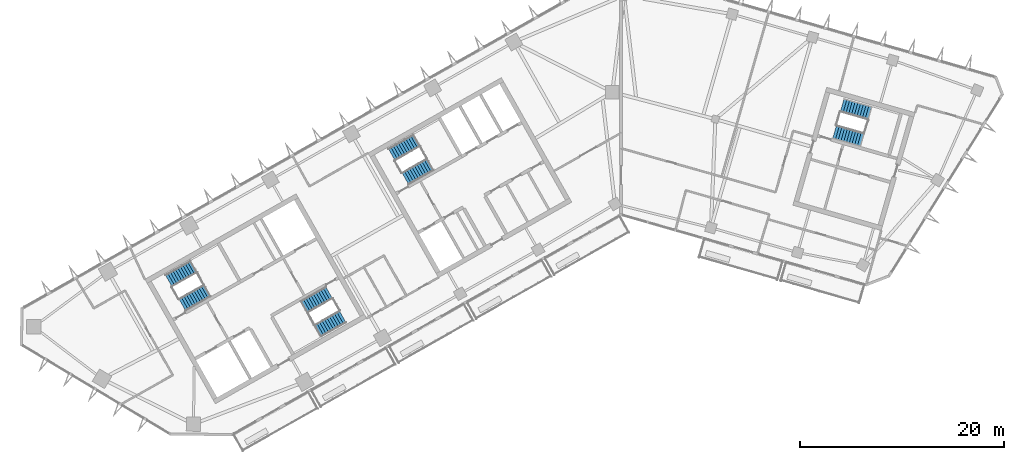
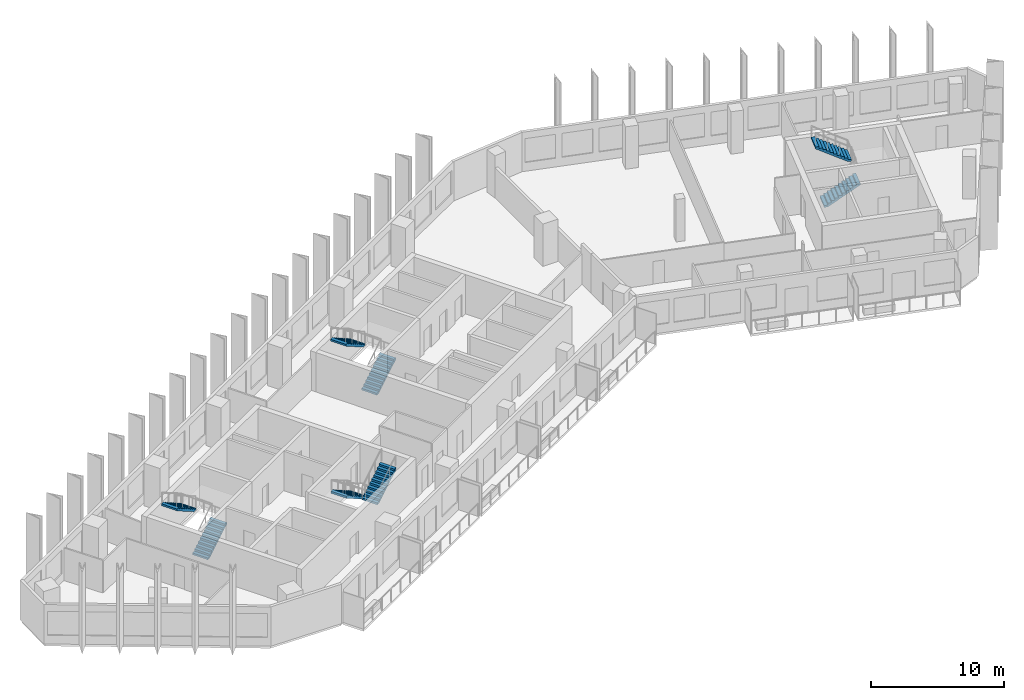
# One storey, part 9 of 12: 8 stair flights, 4 elements without a shape of their own.
"""IFC4 building model written with IfcOpenShell, lengths in metres."""

from ifc_helpers import new_model, si_unit, direction, frame, origin, place, context, subcontext, project, spatial, polyline, outline, extrude, material, type_object, element, aggregate, save


model = new_model("IFC4")

# Units and contexts
model_context = context("Model", 3, precision=1e-05, world=origin(), true_north=direction((0.0, 1.0)))
body_context = subcontext(model_context, "Body", "Model", "MODEL_VIEW")
ifc_project = project(units=[si_unit("LENGTHUNIT", "METRE"), si_unit("AREAUNIT", "SQUARE_METRE"), si_unit("VOLUMEUNIT", "CUBIC_METRE"), si_unit("PLANEANGLEUNIT", "RADIAN"), si_unit("MASSUNIT", "GRAM", prefix="KILO")], contexts=[model_context])

# Site, building, storey
site_placement = place(None, origin())
site = spatial("IfcSite", under=ifc_project, at=site_placement, CompositionType="ELEMENT")
building_placement = place(site_placement, origin())
building = spatial("IfcBuilding", under=site, at=building_placement, Name="Binnacle Exchange Tower", CompositionType="ELEMENT")
storey_placement = place(building_placement, frame((0.0, 0.0, 246.5)))
storey = spatial("IfcBuildingStorey", under=building, at=storey_placement, Name="L54", CompositionType="ELEMENT", Elevation=246.5)

# Stair, stair flights
ifc_material = material(Name="Concrete C35/45", Category="concrete")
stair_type = type_object("IfcStairType", Name="STAIR 22 RISERS 177", PredefinedType="HALF_TURN_STAIR", material=ifc_material)
stair_1_placement = place(storey_placement, origin())
stair_1 = element("IfcStair", 1, at=stair_1_placement, inside=storey, type_object=stair_type, Name="L54 Escape stair A1", PredefinedType="HALF_TURN_STAIR")
stair_flight_type = type_object("IfcStairFlightType", Name="STAIR FLIGHT 177X280", PredefinedType="STRAIGHT", material=ifc_material)
stair_flight_1_placement = place(storey_placement, frame((-42.9541015625, 39.17333984375, 0.0), z_axis=(0.0, 0.0, 1.0), x_axis=(0.870355584213, 0.492423757581, 0.0)))
stair_flight_1 = element("IfcStairFlight", 2, at=stair_flight_1_placement, type_object=stair_flight_type, Name="STA1 flight 1", NumberOfRisers=11, NumberOfTreads=10, PredefinedType="STRAIGHT", RiserHeight=0.177272727, TreadLength=0.28, context=body_context, shape_type="SweptSolid", body=[
    extrude(outline(polyline([(0.0, 0.0), (0.0, 0.17724609375), (0.280029296875, 0.17724609375), (0.280029296875, 0.3544921875), (0.56005859375, 0.3544921875), (0.56005859375, 0.53173828125), (0.840087890625, 0.53173828125), (0.840087890625, 0.708984375), (1.1201171875, 0.708984375), (1.1201171875, 0.886474609375), (1.39990234375, 0.886474609375), (1.39990234375, 1.063720703125), (1.679931640625, 1.063720703125), (1.679931640625, 1.240966796875), (1.9599609375, 1.240966796875), (1.9599609375, 1.418212890625), (2.239990234375, 1.418212890625), (2.239990234375, 1.595458984375), (2.52001953125, 1.595458984375), (2.52001953125, 1.772705078125), (2.800048828125, 1.772705078125), (2.800048828125, 1.949951171875), (2.800048828125, 1.59521484375), (0.2802734375, 0.0), (0.0, 0.0)])), frame((0.0, 0.675048828125, 0.0), z_axis=(0.0, -1.0, 0.0), x_axis=(1.0, 0.0, 0.0)), (0.0, 0.0, 1.0), 1.35009765625),
])
stair_flight_2_placement = place(storey_placement, frame((-41.846435546875, 42.902099609375, 1.949951171875), z_axis=(0.0, 0.0, 1.0), x_axis=(-0.870355584213, -0.492423757581, 0.0)))
stair_flight_2 = element("IfcStairFlight", 3, at=stair_flight_2_placement, type_object=stair_flight_type, Name="STA1 flight 2", NumberOfRisers=11, NumberOfTreads=10, PredefinedType="STRAIGHT", RiserHeight=0.177272727, TreadLength=0.28, context=body_context, shape_type="SweptSolid", body=[
    extrude(outline(polyline([(0.0, 0.0), (0.0, 0.17724609375), (0.280029296875, 0.17724609375), (0.280029296875, 0.3544921875), (0.56005859375, 0.3544921875), (0.56005859375, 0.53173828125), (0.840087890625, 0.53173828125), (0.840087890625, 0.708984375), (1.1201171875, 0.708984375), (1.1201171875, 0.886474609375), (1.39990234375, 0.886474609375), (1.39990234375, 1.063720703125), (1.679931640625, 1.063720703125), (1.679931640625, 1.240966796875), (1.9599609375, 1.240966796875), (1.9599609375, 1.418212890625), (2.239990234375, 1.418212890625), (2.239990234375, 1.595458984375), (2.52001953125, 1.595458984375), (2.52001953125, 1.772705078125), (2.800048828125, 1.772705078125), (2.800048828125, 1.949951171875), (2.800048828125, 1.59521484375), (0.2802734375, 0.0), (0.0, 0.0)])), frame((0.0, 0.675048828125, 0.0), z_axis=(0.0, -1.0, 0.0), x_axis=(1.0, 0.0, 0.0)), (0.0, 0.0, 1.0), 1.35009765625),
])
aggregate(stair_1, [stair_flight_1, stair_flight_2])

stair_2_placement = place(storey_placement, origin())
stair_2 = element("IfcStair", 4, at=stair_2_placement, inside=storey, type_object=stair_type, Name="L54 Escape stair A2", PredefinedType="HALF_TURN_STAIR")
stair_flight_3_placement = place(storey_placement, frame((-28.5732421875, 40.3583984375, 0.0), z_axis=(0.0, 0.0, 1.0), x_axis=(-0.870355584213, -0.492423757581, 0.0)))
stair_flight_3 = element("IfcStairFlight", 5, at=stair_flight_3_placement, type_object=stair_flight_type, Name="STA2 flight 1", NumberOfRisers=11, NumberOfTreads=10, PredefinedType="STRAIGHT", RiserHeight=0.177272727, TreadLength=0.28, context=body_context, shape_type="SweptSolid", body=[
    extrude(outline(polyline([(0.0, 0.0), (0.0, 0.17724609375), (0.280029296875, 0.17724609375), (0.280029296875, 0.3544921875), (0.56005859375, 0.3544921875), (0.56005859375, 0.53173828125), (0.840087890625, 0.53173828125), (0.840087890625, 0.708984375), (1.1201171875, 0.708984375), (1.1201171875, 0.886474609375), (1.39990234375, 0.886474609375), (1.39990234375, 1.063720703125), (1.679931640625, 1.063720703125), (1.679931640625, 1.240966796875), (1.9599609375, 1.240966796875), (1.9599609375, 1.418212890625), (2.239990234375, 1.418212890625), (2.239990234375, 1.595458984375), (2.52001953125, 1.595458984375), (2.52001953125, 1.772705078125), (2.800048828125, 1.772705078125), (2.800048828125, 1.949951171875), (2.800048828125, 1.59521484375), (0.2802734375, 0.0), (0.0, 0.0)])), frame((0.0, 0.675048828125, 0.0), z_axis=(0.0, -1.0, 0.0), x_axis=(1.0, 0.0, 0.0)), (0.0, 0.0, 1.0), 1.35009765625),
])
stair_flight_4_placement = place(storey_placement, frame((-29.6806640625, 36.629638671875, 1.949951171875), z_axis=(0.0, 0.0, 1.0), x_axis=(0.870355584213, 0.492423757581, 0.0)))
stair_flight_4 = element("IfcStairFlight", 6, at=stair_flight_4_placement, type_object=stair_flight_type, Name="STA2 flight 2", NumberOfRisers=11, NumberOfTreads=10, PredefinedType="STRAIGHT", RiserHeight=0.177272727, TreadLength=0.28, context=body_context, shape_type="SweptSolid", body=[
    extrude(outline(polyline([(0.0, 0.0), (0.0, 0.17724609375), (0.280029296875, 0.17724609375), (0.280029296875, 0.3544921875), (0.56005859375, 0.3544921875), (0.56005859375, 0.53173828125), (0.840087890625, 0.53173828125), (0.840087890625, 0.708984375), (1.1201171875, 0.708984375), (1.1201171875, 0.886474609375), (1.39990234375, 0.886474609375), (1.39990234375, 1.063720703125), (1.679931640625, 1.063720703125), (1.679931640625, 1.240966796875), (1.9599609375, 1.240966796875), (1.9599609375, 1.418212890625), (2.239990234375, 1.418212890625), (2.239990234375, 1.595458984375), (2.52001953125, 1.595458984375), (2.52001953125, 1.772705078125), (2.800048828125, 1.772705078125), (2.800048828125, 1.949951171875), (2.800048828125, 1.59521484375), (0.2802734375, 0.0), (0.0, 0.0)])), frame((0.0, 0.675048828125, 0.0), z_axis=(0.0, -1.0, 0.0), x_axis=(1.0, 0.0, 0.0)), (0.0, 0.0, 1.0), 1.35009765625),
])
aggregate(stair_2, [stair_flight_3, stair_flight_4])

stair_3_placement = place(storey_placement, origin())
stair_3 = element("IfcStair", 7, at=stair_3_placement, inside=storey, type_object=stair_type, Name="L54 Escape stair C1", PredefinedType="HALF_TURN_STAIR")
stair_flight_5_placement = place(storey_placement, frame((-21.115966796875, 51.528564453125, 0.0), z_axis=(0.0, 0.0, 1.0), x_axis=(0.870355584213, 0.492423757581, 0.0)))
stair_flight_5 = element("IfcStairFlight", 8, at=stair_flight_5_placement, type_object=stair_flight_type, Name="STC1 flight 1", NumberOfRisers=11, NumberOfTreads=10, PredefinedType="STRAIGHT", RiserHeight=0.177272727, TreadLength=0.28, context=body_context, shape_type="SweptSolid", body=[
    extrude(outline(polyline([(0.0, 0.0), (0.0, 0.17724609375), (0.280029296875, 0.17724609375), (0.280029296875, 0.3544921875), (0.56005859375, 0.3544921875), (0.56005859375, 0.53173828125), (0.840087890625, 0.53173828125), (0.840087890625, 0.708984375), (1.1201171875, 0.708984375), (1.1201171875, 0.886474609375), (1.39990234375, 0.886474609375), (1.39990234375, 1.063720703125), (1.679931640625, 1.063720703125), (1.679931640625, 1.240966796875), (1.9599609375, 1.240966796875), (1.9599609375, 1.418212890625), (2.239990234375, 1.418212890625), (2.239990234375, 1.595458984375), (2.52001953125, 1.595458984375), (2.52001953125, 1.772705078125), (2.800048828125, 1.772705078125), (2.800048828125, 1.949951171875), (2.800048828125, 1.59521484375), (0.2802734375, 0.0), (0.0, 0.0)])), frame((0.0, 0.675048828125, 0.0), z_axis=(0.0, -1.0, 0.0), x_axis=(1.0, 0.0, 0.0)), (0.0, 0.0, 1.0), 1.35009765625),
])
stair_flight_6_placement = place(storey_placement, frame((-20.008544921875, 55.25732421875, 1.949951171875), z_axis=(0.0, 0.0, 1.0), x_axis=(-0.870355584213, -0.492423757581, 0.0)))
stair_flight_6 = element("IfcStairFlight", 9, at=stair_flight_6_placement, type_object=stair_flight_type, Name="STC1 flight 2", NumberOfRisers=11, NumberOfTreads=10, PredefinedType="STRAIGHT", RiserHeight=0.177272727, TreadLength=0.28, context=body_context, shape_type="SweptSolid", body=[
    extrude(outline(polyline([(0.0, 0.0), (0.0, 0.17724609375), (0.280029296875, 0.17724609375), (0.280029296875, 0.3544921875), (0.56005859375, 0.3544921875), (0.56005859375, 0.53173828125), (0.840087890625, 0.53173828125), (0.840087890625, 0.708984375), (1.1201171875, 0.708984375), (1.1201171875, 0.886474609375), (1.39990234375, 0.886474609375), (1.39990234375, 1.063720703125), (1.679931640625, 1.063720703125), (1.679931640625, 1.240966796875), (1.9599609375, 1.240966796875), (1.9599609375, 1.418212890625), (2.239990234375, 1.418212890625), (2.239990234375, 1.595458984375), (2.52001953125, 1.595458984375), (2.52001953125, 1.772705078125), (2.800048828125, 1.772705078125), (2.800048828125, 1.949951171875), (2.800048828125, 1.59521484375), (0.2802734375, 0.0), (0.0, 0.0)])), frame((0.0, 0.675048828125, 0.0), z_axis=(0.0, -1.0, 0.0), x_axis=(1.0, 0.0, 0.0)), (0.0, 0.0, 1.0), 1.35009765625),
])
aggregate(stair_3, [stair_flight_5, stair_flight_6])

stair_4_placement = place(storey_placement, origin())
stair_4 = element("IfcStair", 10, at=stair_4_placement, inside=storey, type_object=stair_type, Name="L54 Escape stair D1", PredefinedType="HALF_TURN_STAIR")
stair_flight_7_placement = place(storey_placement, frame((20.914306640625, 56.109619140625, 0.0), z_axis=(0.0, 0.0, 1.0), x_axis=(0.961261811397, -0.275636953165, 0.0)))
stair_flight_7 = element("IfcStairFlight", 11, at=stair_flight_7_placement, type_object=stair_flight_type, Name="STD1 flight 1", NumberOfRisers=11, NumberOfTreads=10, PredefinedType="STRAIGHT", RiserHeight=0.177272727, TreadLength=0.28, context=body_context, shape_type="SweptSolid", body=[
    extrude(outline(polyline([(0.0, 0.0), (0.0, 0.17724609375), (0.280029296875, 0.17724609375), (0.280029296875, 0.3544921875), (0.56005859375, 0.3544921875), (0.56005859375, 0.53173828125), (0.840087890625, 0.53173828125), (0.840087890625, 0.708984375), (1.1201171875, 0.708984375), (1.1201171875, 0.886474609375), (1.39990234375, 0.886474609375), (1.39990234375, 1.063720703125), (1.679931640625, 1.063720703125), (1.679931640625, 1.240966796875), (1.9599609375, 1.240966796875), (1.9599609375, 1.418212890625), (2.239990234375, 1.418212890625), (2.239990234375, 1.595458984375), (2.52001953125, 1.595458984375), (2.52001953125, 1.772705078125), (2.800048828125, 1.772705078125), (2.800048828125, 1.949951171875), (2.800048828125, 1.59521484375), (0.2802734375, 0.0), (0.0, 0.0)])), frame((0.0, 0.675048828125, 0.0), z_axis=(0.0, -1.0, 0.0), x_axis=(1.0, 0.0, 0.0)), (0.0, 0.0, 1.0), 1.35009765625),
])
stair_flight_8_placement = place(storey_placement, frame((24.35009765625, 57.93310546875, 1.949951171875), z_axis=(0.0, 0.0, 1.0), x_axis=(-0.961261811397, 0.275636953165, 0.0)))
stair_flight_8 = element("IfcStairFlight", 12, at=stair_flight_8_placement, type_object=stair_flight_type, Name="STD1 flight 2", NumberOfRisers=11, NumberOfTreads=10, PredefinedType="STRAIGHT", RiserHeight=0.177272727, TreadLength=0.28, context=body_context, shape_type="SweptSolid", body=[
    extrude(outline(polyline([(0.0, 0.0), (0.0, 0.17724609375), (0.280029296875, 0.17724609375), (0.280029296875, 0.3544921875), (0.56005859375, 0.3544921875), (0.56005859375, 0.53173828125), (0.840087890625, 0.53173828125), (0.840087890625, 0.708984375), (1.1201171875, 0.708984375), (1.1201171875, 0.886474609375), (1.39990234375, 0.886474609375), (1.39990234375, 1.063720703125), (1.679931640625, 1.063720703125), (1.679931640625, 1.240966796875), (1.9599609375, 1.240966796875), (1.9599609375, 1.418212890625), (2.239990234375, 1.418212890625), (2.239990234375, 1.595458984375), (2.52001953125, 1.595458984375), (2.52001953125, 1.772705078125), (2.800048828125, 1.772705078125), (2.800048828125, 1.949951171875), (2.800048828125, 1.59521484375), (0.2802734375, 0.0), (0.0, 0.0)])), frame((0.0, 0.675048828125, 0.0), z_axis=(0.0, -1.0, 0.0), x_axis=(1.0, 0.0, 0.0)), (0.0, 0.0, 1.0), 1.35009765625),
])
aggregate(stair_4, [stair_flight_7, stair_flight_8])

save(model, "model.ifc")
